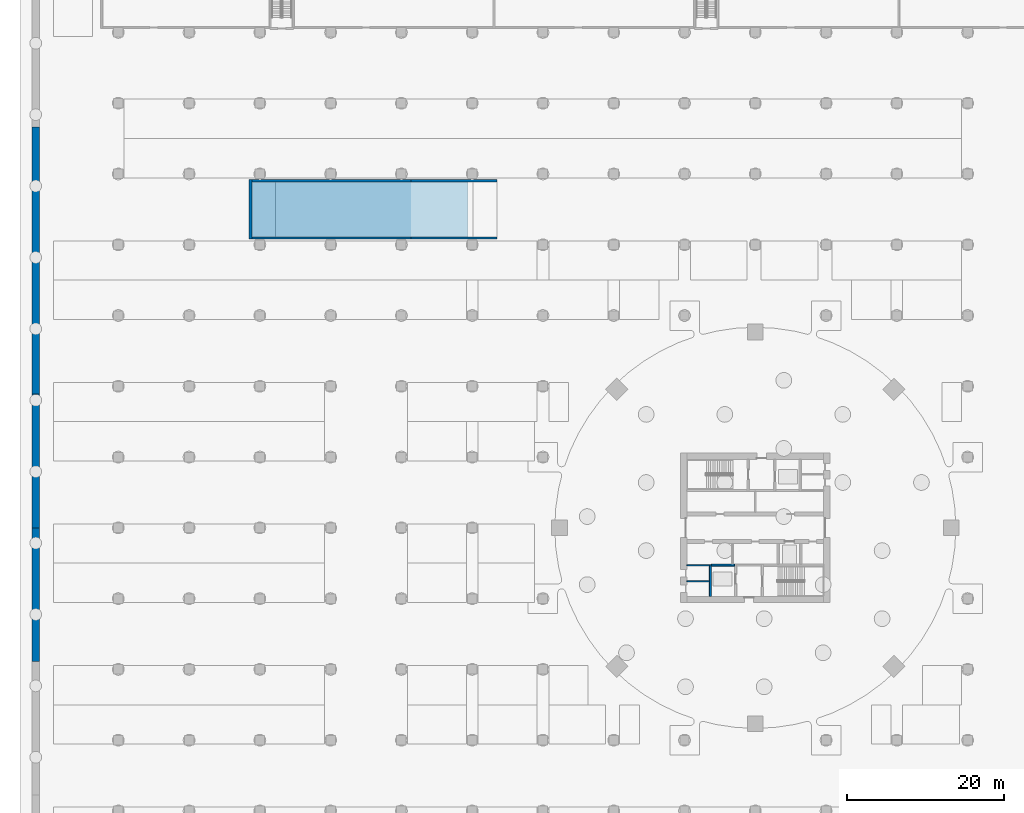
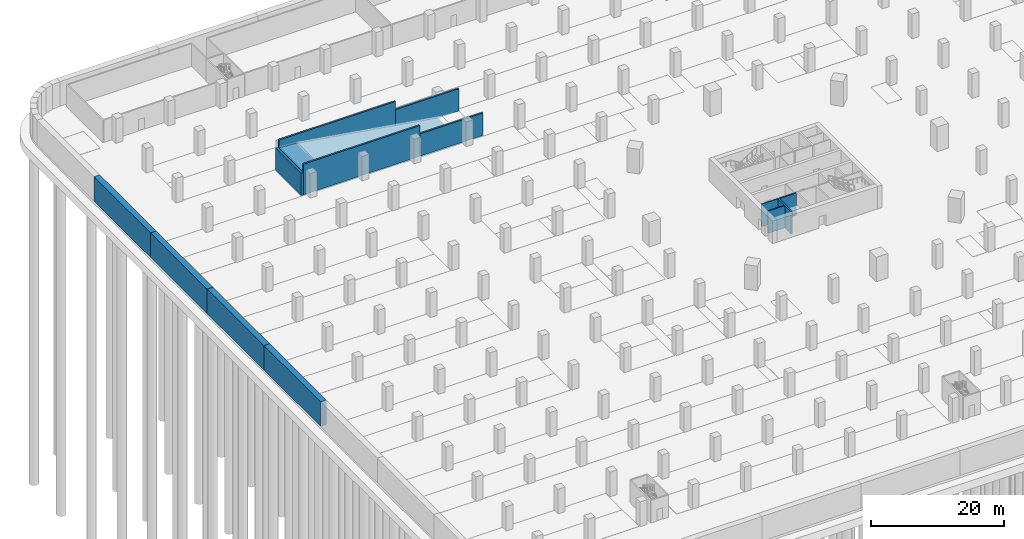
# One storey, part 14 of 39: 14 walls.
"""IFC4 building model written with IfcOpenShell, lengths in metres."""

from ifc_helpers import new_model, si_unit, direction, frame, frame_2d, origin, place, context, subcontext, project, spatial, polyline, rectangle, outline, extrude, material, layer, layer_set, type_object, element, save


model = new_model("IFC4")

# Units and contexts
model_context = context("Model", 3, precision=1e-05, world=origin(), true_north=direction((0.0, 1.0)))
body_context = subcontext(model_context, "Body", "Model", "MODEL_VIEW")
ifc_project = project(units=[si_unit("LENGTHUNIT", "METRE"), si_unit("AREAUNIT", "SQUARE_METRE"), si_unit("VOLUMEUNIT", "CUBIC_METRE"), si_unit("PLANEANGLEUNIT", "RADIAN"), si_unit("MASSUNIT", "GRAM", prefix="KILO")], contexts=[model_context])

# Site, building, storey
site_placement = place(None, origin())
site = spatial("IfcSite", under=ifc_project, at=site_placement, CompositionType="ELEMENT")
building_placement = place(site_placement, origin())
building = spatial("IfcBuilding", under=site, at=building_placement, Name="Ogive Gate Towers", CompositionType="ELEMENT")
storey_placement = place(building_placement, frame((0.0, 0.0, -9.0)))
storey = spatial("IfcBuildingStorey", under=building, at=storey_placement, Name="B2", CompositionType="ELEMENT", Elevation=-9.0)

# Walls
ifc_material_1 = material(Name="Concrete C32/40", Category="concrete")
ifc_layer_1 = layer(ifc_material_1, 7.0)
ifc_layer_set_1 = layer_set([ifc_layer_1], Name="Ramp bed 7000")
wall_type_1 = type_object("IfcWallType", Name="Ramp bed 7000", PredefinedType="SOLIDWALL", material=ifc_layer_set_1)
wall_1_placement = place(storey_placement, frame((-100.0, 40.5, 0.0), z_axis=(0.0, 0.0, 1.0), x_axis=(1.0, 0.0, 0.0)))
element("IfcWall", 1, at=wall_1_placement, inside=storey, type_object=wall_type_1, Name="Basement car ramp west bed", PredefinedType="SOLIDWALL", context=body_context, shape_type="SweptSolid", body=[
    extrude(outline(polyline([(0.0, 0.0), (27.4375, 0.0), (27.4375, 0.050048828125), (3.0, 3.9599609375), (0.0, 4.199951171875), (0.0, 0.0)])), frame((0.0, 3.5, 0.0), z_axis=(0.0, -1.0, 0.0), x_axis=(1.0, 0.0, 0.0)), (0.0, 0.0, 1.0), 7.0),
])
ifc_layer_2 = layer(ifc_material_1, 0.39990234375)
ifc_layer_set_2 = layer_set([ifc_layer_2], Name="Ramp end wall 400")
wall_type_2 = type_object("IfcWallType", Name="Ramp end wall 400", PredefinedType="SOLIDWALL", material=ifc_layer_set_2)
wall_2_placement = place(storey_placement, frame((-100.199951171875, 36.699951171875, 0.0), z_axis=(0.0, 0.0, 1.0), x_axis=(0.0, 1.0, 0.0)))
element("IfcWall", 2, at=wall_2_placement, inside=storey, type_object=wall_type_2, Name="Ramp end wall 13", PredefinedType="SOLIDWALL", context=body_context, shape_type="SweptSolid", body=[
    extrude(rectangle(XDim=7.60009765625, YDim=0.39990234375, at=frame_2d((3.800048828125, 0.0))), origin(), (0.0, 0.0, 1.0), 4.10009765625),
])
ifc_layer_3 = layer(ifc_material_1, 0.300048828125)
ifc_layer_set_3 = layer_set([ifc_layer_3], Name="Ramp wall 300")
wall_type_3 = type_object("IfcWallType", Name="Ramp wall 300", PredefinedType="SOLIDWALL", material=ifc_layer_set_3)
for number, where, z_axis, x_axis, name in (
    (3, (-100.0, 36.85009765625, 0.0), (0.0, 0.0, 1.0), (1.0, 0.0, 0.0), "Ramp wall 09"),
    (4, (-100.0, 44.14990234375, 0.0), (0.0, 0.0, 1.0), (1.0, 0.0, 0.0), "Ramp wall 10"),
):
    element("IfcWall", number, at=place(storey_placement, frame(where, z_axis=z_axis, x_axis=x_axis)), inside=storey, type_object=wall_type_3, Name=name, PredefinedType="SOLIDWALL", context=body_context, shape_type="SweptSolid", body=[
        extrude(rectangle(XDim=20.199951171875, YDim=0.300048828125, at=frame_2d((10.10009765625, 0.0))), origin(), (0.0, 0.0, 1.0), 5.60009765625),
    ])
for number, where, z_axis, x_axis, name in (
    (5, (-79.800048828125, 36.85009765625, 0.0), (0.0, 0.0, 1.0), (1.0, 0.0, 0.0), "Ramp wall 11"),
    (6, (-79.800048828125, 44.14990234375, 0.0), (0.0, 0.0, 1.0), (1.0, 0.0, 0.0), "Ramp wall 12"),
):
    element("IfcWall", number, at=place(storey_placement, frame(where, z_axis=z_axis, x_axis=x_axis)), inside=storey, type_object=wall_type_3, Name=name, PredefinedType="SOLIDWALL", context=body_context, shape_type="SweptSolid", body=[
        extrude(rectangle(XDim=10.925048828125, YDim=0.300048828125, at=frame_2d((5.46240234375, 0.0))), origin(), (0.0, 0.0, 1.0), 4.10009765625),
    ])
ifc_material_2 = material(Name="Concrete C40/50", Category="concrete")
ifc_layer_4 = layer(ifc_material_2, 1.0)
ifc_layer_set_4 = layer_set([ifc_layer_4], Name="Retaining wall 1000")
wall_type_4 = type_object("IfcWallType", Name="Retaining wall 1000", PredefinedType="SOLIDWALL", material=ifc_layer_set_4)
for number, where, z_axis, x_axis, name in (
    (7, (-127.5, -16.993896484375, 0.0), (0.0, 0.0, 1.0), (0.0, 1.0, 0.0), "BS/B2/SWL026"),
    (8, (-127.5, 0.0, 0.0), (0.0, 0.0, 1.0), (0.0, 1.0, 0.0), "BS/B2/SWL027"),
    (9, (-127.5, 16.993896484375, 0.0), (0.0, 0.0, 1.0), (0.0, 1.0, 0.0), "BS/B2/SWL028"),
    (10, (-127.5, 33.98779296875, 0.0), (0.0, 0.0, 1.0), (0.0, 1.0, 0.0), "BS/B2/SWL029"),
):
    element("IfcWall", number, at=place(storey_placement, frame(where, z_axis=z_axis, x_axis=x_axis)), inside=storey, type_object=wall_type_4, Name=name, PredefinedType="SOLIDWALL", context=body_context, shape_type="SweptSolid", body=[
        extrude(rectangle(XDim=16.993896484375, YDim=1.0, at=frame_2d((8.4970703125, 0.0))), origin(), (0.0, 0.0, 1.0), 4.5),
    ])
ifc_material_3 = material(Name="Gypsum board partition")
ifc_layer_5 = layer(ifc_material_3, 0.14990234375)
ifc_layer_set_5 = layer_set([ifc_layer_5], Name="Room partition 150 mm")
wall_type_5 = type_object("IfcWallType", Name="Room partition 150 mm", PredefinedType="PARTITIONING", material=ifc_layer_set_5)
for number, where, z_axis, x_axis, name in (
    (11, (-44.699951171875, -6.800048828125, 0.0), (0.0, 0.0, 1.0), (1.0, 0.0, 0.0), "T1 B2 Room partition 150 mm"),
    (12, (-44.699951171875, -4.75, 0.0), (0.0, 0.0, 1.0), (1.0, 0.0, 0.0), "T1 B2 Room partition 150 mm"),
):
    element("IfcWall", number, at=place(storey_placement, frame(where, z_axis=z_axis, x_axis=x_axis)), inside=storey, type_object=wall_type_5, Name=name, PredefinedType="PARTITIONING", context=body_context, shape_type="SweptSolid", body=[
        extrude(rectangle(XDim=2.875, YDim=0.14990234375, at=frame_2d((1.4375, 0.0))), origin(), (0.0, 0.0, 1.0), 4.10009765625),
    ])
ifc_material_4 = material(Name="Concrete C60/75", Category="concrete")
ifc_layer_6 = layer(ifc_material_4, 0.25)
ifc_layer_set_6 = layer_set([ifc_layer_6], Name="Shaft wall 250 mm")
wall_type_6 = type_object("IfcWallType", Name="Shaft wall 250 mm", PredefinedType="SHEAR", material=ifc_layer_set_6)
wall_3_placement = place(storey_placement, frame((-41.574951171875, -4.75, 0.0), z_axis=(0.0, 0.0, 1.0), x_axis=(1.0, 0.0, 0.0)))
element("IfcWall", 13, at=wall_3_placement, inside=storey, type_object=wall_type_6, Name="T1 B2 Shaft wall 250 mm", PredefinedType="SHEAR", context=body_context, shape_type="SweptSolid", body=[
    extrude(rectangle(XDim=2.949951171875, YDim=0.25, at=frame_2d((1.47509765625, 0.0))), origin(), (0.0, 0.0, 1.0), 4.10009765625),
])
wall_4_placement = place(storey_placement, frame((-41.699951171875, -8.699951171875, 0.0), z_axis=(0.0, 0.0, 1.0), x_axis=(0.0, 1.0, 0.0)))
element("IfcWall", 14, at=wall_4_placement, inside=storey, type_object=wall_type_6, Name="T1 B2 Shaft wall 250 mm", PredefinedType="SHEAR", context=body_context, shape_type="SweptSolid", body=[
    extrude(rectangle(XDim=4.02490234375, YDim=0.25, at=frame_2d((2.012451171875, 0.0))), origin(), (0.0, 0.0, 1.0), 4.10009765625),
])

save(model, "model.ifc")
